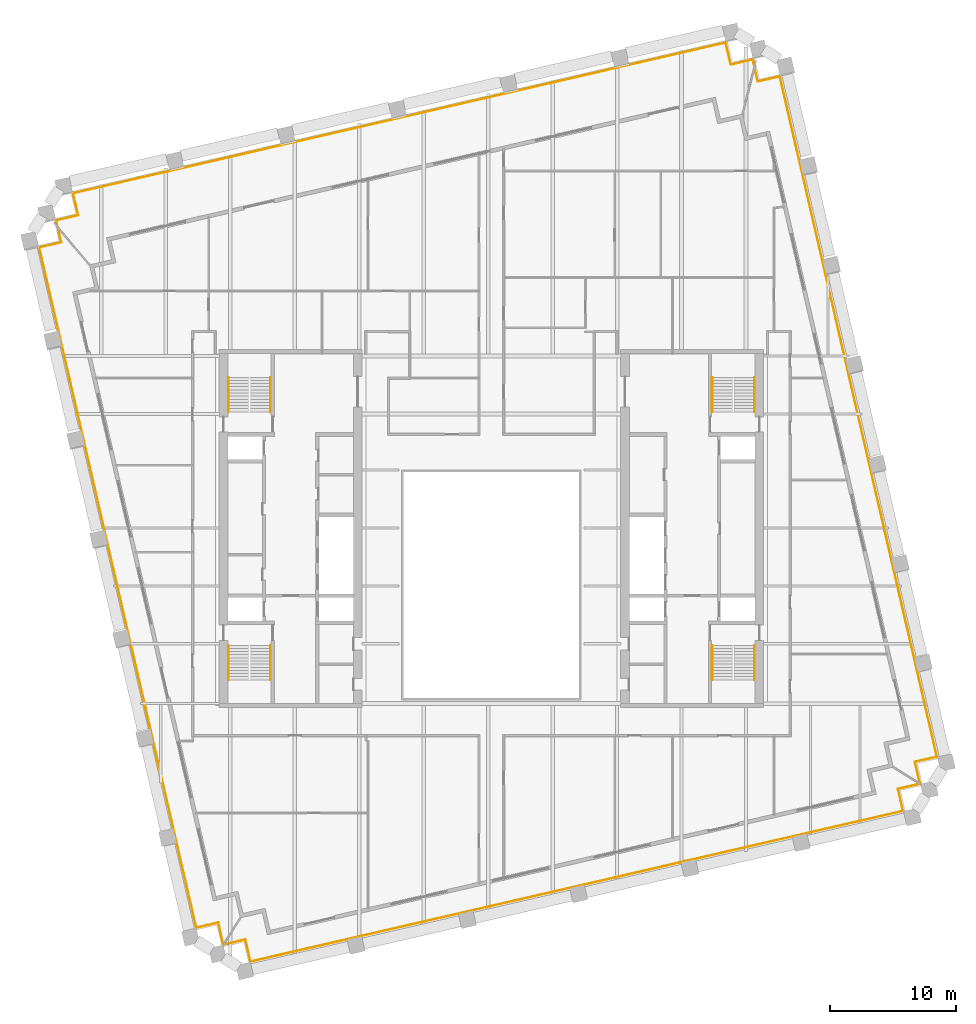
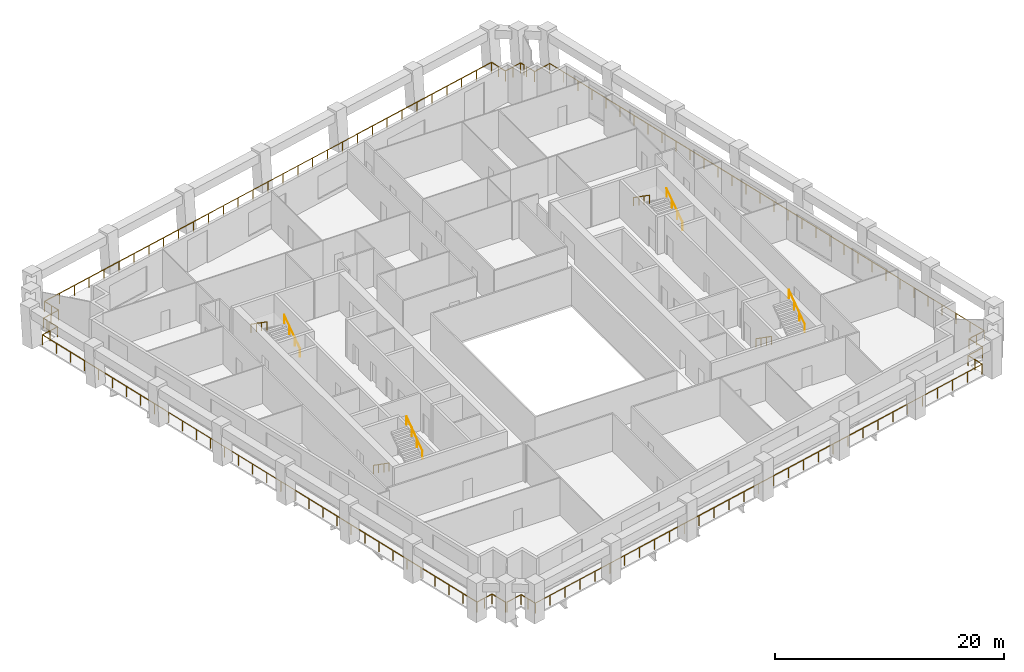
# One storey, part 10 of 10: 12 railings.
"""IFC4 building model written with IfcOpenShell, lengths in metres."""

from ifc_helpers import new_model, si_unit, direction, frame, origin, origin_2d, place, context, subcontext, project, spatial, circle, extrude, material, type_object, element, save


model = new_model("IFC4")

# Units and contexts
model_context = context("Model", 3, precision=1e-05, world=origin(), true_north=direction((0.0, 1.0)))
body_context = subcontext(model_context, "Body", "Model", "MODEL_VIEW")
ifc_project = project(units=[si_unit("LENGTHUNIT", "METRE"), si_unit("AREAUNIT", "SQUARE_METRE"), si_unit("VOLUMEUNIT", "CUBIC_METRE"), si_unit("PLANEANGLEUNIT", "RADIAN"), si_unit("MASSUNIT", "GRAM", prefix="KILO")], contexts=[model_context])

# Site, building, storey
site_placement = place(None, origin())
site = spatial("IfcSite", under=ifc_project, at=site_placement, CompositionType="ELEMENT")
building_placement = place(site_placement, origin())
building = spatial("IfcBuilding", under=site, at=building_placement, Name="Ogive Exchange Tower", CompositionType="ELEMENT")
storey_placement = place(building_placement, frame((0.0, 0.0, 192.60009765625)))
storey = spatial("IfcBuildingStorey", under=building, at=storey_placement, Name="L42", CompositionType="ELEMENT", Elevation=192.60009765625)

# Railings
ifc_material_1 = material(Name="Stainless steel 316", Category="steel")
railing_type_1 = type_object("IfcRailingType", Name="Guard 1100 stainless steel and glass", PredefinedType="GUARDRAIL", material=ifc_material_1)
railing_1_placement = place(storey_placement, frame((34.067138671875, -8.864013671875, -0.050048828125)))
element("IfcRailing", 1, at=railing_1_placement, inside=storey, type_object=railing_type_1, Name="Loggia guard 1", PredefinedType="GUARDRAIL", context=body_context, shape_type="SweptSolid", body=[
    extrude(circle(Radius=0.02392578125, at=origin_2d()), frame((0.0, 0.0, 1.076171875), z_axis=(-0.974364690374, -0.224974332206, 0.0), x_axis=(0.224974332206, -0.974364690374, 0.0)), (0.0, 0.0, 1.0), 1.7080078125),
    extrude(circle(Radius=0.02392578125, at=origin_2d()), frame((-1.664306640625, -0.38427734375, 1.076171875), z_axis=(0.224879318197, -0.974386623598, 0.0), x_axis=(0.974386623598, 0.224879318197, 0.0)), (0.0, 0.0, 1.0), 1.800048828125),
    extrude(circle(Radius=0.02392578125, at=origin_2d()), frame((-1.259521484375, -2.13818359375, 1.076171875), z_axis=(-0.97436998541, -0.224951398156, 0.0), x_axis=(0.224951398156, -0.97436998541, 0.0)), (0.0, 0.0, 1.0), 53.360107421875),
    extrude(circle(Radius=0.02392578125, at=origin_2d()), frame((-53.251953125, -14.1416015625, 1.076171875), z_axis=(-0.224879318197, 0.974386623598, 0.0), x_axis=(-0.974386623598, -0.224879318197, 0.0)), (0.0, 0.0, 1.0), 1.800048828125),
    extrude(circle(Radius=0.02392578125, at=origin_2d()), frame((-53.65673828125, -12.3876953125, 1.076171875), z_axis=(-0.974364690374, -0.224974332206, 0.0), x_axis=(0.224974332206, -0.974364690374, 0.0)), (0.0, 0.0, 1.0), 1.7080078125),
    extrude(circle(Radius=0.02099609375, at=origin_2d()), origin(), (0.0, 0.0, 1.0), 1.052001953125),
    extrude(circle(Radius=0.02099609375, at=origin_2d()), frame((-1.664306640625, -0.38427734375, 0.0)), (0.0, 0.0, 1.0), 1.052001953125),
    extrude(circle(Radius=0.02099609375, at=origin_2d()), frame((-1.4619140625, -1.26123046875, 0.0)), (0.0, 0.0, 1.0), 1.052001953125),
    extrude(circle(Radius=0.02099609375, at=origin_2d()), frame((-1.259521484375, -2.13818359375, 0.0)), (0.0, 0.0, 1.0), 1.052001953125),
    extrude(circle(Radius=0.02099609375, at=origin_2d()), frame((-2.99267578125, -2.538330078125, 0.0)), (0.0, 0.0, 1.0), 1.052001953125),
    extrude(circle(Radius=0.02099609375, at=origin_2d()), frame((-4.7255859375, -2.9384765625, 0.0)), (0.0, 0.0, 1.0), 1.052001953125),
    extrude(circle(Radius=0.02099609375, at=origin_2d()), frame((-6.458740234375, -3.338623046875, 0.0)), (0.0, 0.0, 1.0), 1.052001953125),
    extrude(circle(Radius=0.02099609375, at=origin_2d()), frame((-8.19189453125, -3.738525390625, 0.0)), (0.0, 0.0, 1.0), 1.052001953125),
    extrude(circle(Radius=0.02099609375, at=origin_2d()), frame((-9.9248046875, -4.138671875, 0.0)), (0.0, 0.0, 1.0), 1.052001953125),
    extrude(circle(Radius=0.02099609375, at=origin_2d()), frame((-11.657958984375, -4.538818359375, 0.0)), (0.0, 0.0, 1.0), 1.052001953125),
    extrude(circle(Radius=0.02099609375, at=origin_2d()), frame((-13.39111328125, -4.93896484375, 0.0)), (0.0, 0.0, 1.0), 1.052001953125),
    extrude(circle(Radius=0.02099609375, at=origin_2d()), frame((-15.124267578125, -5.339111328125, 0.0)), (0.0, 0.0, 1.0), 1.052001953125),
    extrude(circle(Radius=0.02099609375, at=origin_2d()), frame((-16.857177734375, -5.7392578125, 0.0)), (0.0, 0.0, 1.0), 1.052001953125),
    extrude(circle(Radius=0.02099609375, at=origin_2d()), frame((-18.59033203125, -6.139404296875, 0.0)), (0.0, 0.0, 1.0), 1.052001953125),
    extrude(circle(Radius=0.02099609375, at=origin_2d()), frame((-20.323486328125, -6.53955078125, 0.0)), (0.0, 0.0, 1.0), 1.052001953125),
    extrude(circle(Radius=0.02099609375, at=origin_2d()), frame((-22.056396484375, -6.939453125, 0.0)), (0.0, 0.0, 1.0), 1.052001953125),
    extrude(circle(Radius=0.02099609375, at=origin_2d()), frame((-23.78955078125, -7.339599609375, 0.0)), (0.0, 0.0, 1.0), 1.052001953125),
    extrude(circle(Radius=0.02099609375, at=origin_2d()), frame((-25.522705078125, -7.73974609375, 0.0)), (0.0, 0.0, 1.0), 1.052001953125),
    extrude(circle(Radius=0.02099609375, at=origin_2d()), frame((-27.255859375, -8.139892578125, 0.0)), (0.0, 0.0, 1.0), 1.052001953125),
    extrude(circle(Radius=0.02099609375, at=origin_2d()), frame((-28.98876953125, -8.5400390625, 0.0)), (0.0, 0.0, 1.0), 1.052001953125),
    extrude(circle(Radius=0.02099609375, at=origin_2d()), frame((-30.721923828125, -8.940185546875, 0.0)), (0.0, 0.0, 1.0), 1.052001953125),
    extrude(circle(Radius=0.02099609375, at=origin_2d()), frame((-32.455078125, -9.34033203125, 0.0)), (0.0, 0.0, 1.0), 1.052001953125),
    extrude(circle(Radius=0.02099609375, at=origin_2d()), frame((-34.18798828125, -9.740234375, 0.0)), (0.0, 0.0, 1.0), 1.052001953125),
    extrude(circle(Radius=0.02099609375, at=origin_2d()), frame((-35.921142578125, -10.140380859375, 0.0)), (0.0, 0.0, 1.0), 1.052001953125),
    extrude(circle(Radius=0.02099609375, at=origin_2d()), frame((-37.654296875, -10.54052734375, 0.0)), (0.0, 0.0, 1.0), 1.052001953125),
    extrude(circle(Radius=0.02099609375, at=origin_2d()), frame((-39.38720703125, -10.940673828125, 0.0)), (0.0, 0.0, 1.0), 1.052001953125),
    extrude(circle(Radius=0.02099609375, at=origin_2d()), frame((-41.120361328125, -11.3408203125, 0.0)), (0.0, 0.0, 1.0), 1.052001953125),
    extrude(circle(Radius=0.02099609375, at=origin_2d()), frame((-42.853515625, -11.740966796875, 0.0)), (0.0, 0.0, 1.0), 1.052001953125),
    extrude(circle(Radius=0.02099609375, at=origin_2d()), frame((-44.58642578125, -12.14111328125, 0.0)), (0.0, 0.0, 1.0), 1.052001953125),
    extrude(circle(Radius=0.02099609375, at=origin_2d()), frame((-46.319580078125, -12.541259765625, 0.0)), (0.0, 0.0, 1.0), 1.052001953125),
    extrude(circle(Radius=0.02099609375, at=origin_2d()), frame((-48.052734375, -12.941162109375, 0.0)), (0.0, 0.0, 1.0), 1.052001953125),
    extrude(circle(Radius=0.02099609375, at=origin_2d()), frame((-49.785888671875, -13.34130859375, 0.0)), (0.0, 0.0, 1.0), 1.052001953125),
    extrude(circle(Radius=0.02099609375, at=origin_2d()), frame((-51.518798828125, -13.741455078125, 0.0)), (0.0, 0.0, 1.0), 1.052001953125),
    extrude(circle(Radius=0.02099609375, at=origin_2d()), frame((-53.251953125, -14.1416015625, 0.0)), (0.0, 0.0, 1.0), 1.052001953125),
    extrude(circle(Radius=0.02099609375, at=origin_2d()), frame((-53.454345703125, -13.2646484375, 0.0)), (0.0, 0.0, 1.0), 1.052001953125),
    extrude(circle(Radius=0.02099609375, at=origin_2d()), frame((-53.65673828125, -12.3876953125, 0.0)), (0.0, 0.0, 1.0), 1.052001953125),
    extrude(circle(Radius=0.02099609375, at=origin_2d()), frame((-55.321044921875, -12.77197265625, 0.0)), (0.0, 0.0, 1.0), 1.052001953125),
])
railing_2_placement = place(storey_placement, frame((-21.364013671875, -21.567138671875, -0.050048828125)))
element("IfcRailing", 2, at=railing_2_placement, inside=storey, type_object=railing_type_1, Name="Loggia guard 2", PredefinedType="GUARDRAIL", context=body_context, shape_type="SweptSolid", body=[
    extrude(circle(Radius=0.02392578125, at=origin_2d()), frame((0.0, 0.0, 1.076171875), z_axis=(-0.224974332206, 0.974364690374, 0.0), x_axis=(-0.974364690374, -0.224974332206, 0.0)), (0.0, 0.0, 1.0), 1.7080078125),
    extrude(circle(Radius=0.02392578125, at=origin_2d()), frame((-0.38427734375, 1.664306640625, 1.076171875), z_axis=(-0.974386623598, -0.224879318197, 0.0), x_axis=(0.224879318197, -0.974386623598, 0.0)), (0.0, 0.0, 1.0), 1.800048828125),
    extrude(circle(Radius=0.02392578125, at=origin_2d()), frame((-2.13818359375, 1.259521484375, 1.076171875), z_axis=(-0.224953419665, 0.974369518705, 0.0), x_axis=(-0.974369518705, -0.224953419665, 0.0)), (0.0, 0.0, 1.0), 55.62890625),
    extrude(circle(Radius=0.02392578125, at=origin_2d()), frame((-14.652099609375, 55.462646484375, 1.076171875), z_axis=(0.974386623598, 0.224879318197, 0.0), x_axis=(-0.224879318197, 0.974386623598, 0.0)), (0.0, 0.0, 1.0), 1.800048828125),
    extrude(circle(Radius=0.02392578125, at=origin_2d()), frame((-12.898193359375, 55.867431640625, 1.076171875), z_axis=(-0.224859506699, 0.974391195695, 0.0), x_axis=(-0.974391195695, -0.224859506699, 0.0)), (0.0, 0.0, 1.0), 1.071533203125),
    extrude(circle(Radius=0.02099609375, at=origin_2d()), origin(), (0.0, 0.0, 1.0), 1.052001953125),
    extrude(circle(Radius=0.02099609375, at=origin_2d()), frame((-0.38427734375, 1.664306640625, 0.0)), (0.0, 0.0, 1.0), 1.052001953125),
    extrude(circle(Radius=0.02099609375, at=origin_2d()), frame((-1.26123046875, 1.4619140625, 0.0)), (0.0, 0.0, 1.0), 1.052001953125),
    extrude(circle(Radius=0.02099609375, at=origin_2d()), frame((-2.13818359375, 1.259521484375, 0.0)), (0.0, 0.0, 1.0), 1.052001953125),
    extrude(circle(Radius=0.02099609375, at=origin_2d()), frame((-2.541748046875, 3.008056640625, 0.0)), (0.0, 0.0, 1.0), 1.052001953125),
    extrude(circle(Radius=0.02099609375, at=origin_2d()), frame((-2.945556640625, 4.756591796875, 0.0)), (0.0, 0.0, 1.0), 1.052001953125),
    extrude(circle(Radius=0.02099609375, at=origin_2d()), frame((-3.34912109375, 6.5048828125, 0.0)), (0.0, 0.0, 1.0), 1.052001953125),
    extrude(circle(Radius=0.02099609375, at=origin_2d()), frame((-3.7529296875, 8.25341796875, 0.0)), (0.0, 0.0, 1.0), 1.052001953125),
    extrude(circle(Radius=0.02099609375, at=origin_2d()), frame((-4.156494140625, 10.001953125, 0.0)), (0.0, 0.0, 1.0), 1.052001953125),
    extrude(circle(Radius=0.02099609375, at=origin_2d()), frame((-4.560302734375, 11.75048828125, 0.0)), (0.0, 0.0, 1.0), 1.052001953125),
    extrude(circle(Radius=0.02099609375, at=origin_2d()), frame((-4.9638671875, 13.4990234375, 0.0)), (0.0, 0.0, 1.0), 1.052001953125),
    extrude(circle(Radius=0.02099609375, at=origin_2d()), frame((-5.36767578125, 15.247314453125, 0.0)), (0.0, 0.0, 1.0), 1.052001953125),
    extrude(circle(Radius=0.02099609375, at=origin_2d()), frame((-5.771240234375, 16.995849609375, 0.0)), (0.0, 0.0, 1.0), 1.052001953125),
    extrude(circle(Radius=0.02099609375, at=origin_2d()), frame((-6.175048828125, 18.744384765625, 0.0)), (0.0, 0.0, 1.0), 1.052001953125),
    extrude(circle(Radius=0.02099609375, at=origin_2d()), frame((-6.57861328125, 20.492919921875, 0.0)), (0.0, 0.0, 1.0), 1.052001953125),
    extrude(circle(Radius=0.02099609375, at=origin_2d()), frame((-6.982177734375, 22.241455078125, 0.0)), (0.0, 0.0, 1.0), 1.052001953125),
    extrude(circle(Radius=0.02099609375, at=origin_2d()), frame((-7.385986328125, 23.98974609375, 0.0)), (0.0, 0.0, 1.0), 1.052001953125),
    extrude(circle(Radius=0.02099609375, at=origin_2d()), frame((-7.78955078125, 25.73828125, 0.0)), (0.0, 0.0, 1.0), 1.052001953125),
    extrude(circle(Radius=0.02099609375, at=origin_2d()), frame((-8.193359375, 27.48681640625, 0.0)), (0.0, 0.0, 1.0), 1.052001953125),
    extrude(circle(Radius=0.02099609375, at=origin_2d()), frame((-8.596923828125, 29.2353515625, 0.0)), (0.0, 0.0, 1.0), 1.052001953125),
    extrude(circle(Radius=0.02099609375, at=origin_2d()), frame((-9.000732421875, 30.98388671875, 0.0)), (0.0, 0.0, 1.0), 1.052001953125),
    extrude(circle(Radius=0.02099609375, at=origin_2d()), frame((-9.404296875, 32.732421875, 0.0)), (0.0, 0.0, 1.0), 1.052001953125),
    extrude(circle(Radius=0.02099609375, at=origin_2d()), frame((-9.80810546875, 34.480712890625, 0.0)), (0.0, 0.0, 1.0), 1.052001953125),
    extrude(circle(Radius=0.02099609375, at=origin_2d()), frame((-10.211669921875, 36.229248046875, 0.0)), (0.0, 0.0, 1.0), 1.052001953125),
    extrude(circle(Radius=0.02099609375, at=origin_2d()), frame((-10.615234375, 37.977783203125, 0.0)), (0.0, 0.0, 1.0), 1.052001953125),
    extrude(circle(Radius=0.02099609375, at=origin_2d()), frame((-11.01904296875, 39.726318359375, 0.0)), (0.0, 0.0, 1.0), 1.052001953125),
    extrude(circle(Radius=0.02099609375, at=origin_2d()), frame((-11.422607421875, 41.474853515625, 0.0)), (0.0, 0.0, 1.0), 1.052001953125),
    extrude(circle(Radius=0.02099609375, at=origin_2d()), frame((-11.826416015625, 43.22314453125, 0.0)), (0.0, 0.0, 1.0), 1.052001953125),
    extrude(circle(Radius=0.02099609375, at=origin_2d()), frame((-12.22998046875, 44.9716796875, 0.0)), (0.0, 0.0, 1.0), 1.052001953125),
    extrude(circle(Radius=0.02099609375, at=origin_2d()), frame((-12.6337890625, 46.72021484375, 0.0)), (0.0, 0.0, 1.0), 1.052001953125),
    extrude(circle(Radius=0.02099609375, at=origin_2d()), frame((-13.037353515625, 48.46875, 0.0)), (0.0, 0.0, 1.0), 1.052001953125),
    extrude(circle(Radius=0.02099609375, at=origin_2d()), frame((-13.441162109375, 50.21728515625, 0.0)), (0.0, 0.0, 1.0), 1.052001953125),
    extrude(circle(Radius=0.02099609375, at=origin_2d()), frame((-13.8447265625, 51.965576171875, 0.0)), (0.0, 0.0, 1.0), 1.052001953125),
    extrude(circle(Radius=0.02099609375, at=origin_2d()), frame((-14.24853515625, 53.714111328125, 0.0)), (0.0, 0.0, 1.0), 1.052001953125),
    extrude(circle(Radius=0.02099609375, at=origin_2d()), frame((-14.652099609375, 55.462646484375, 0.0)), (0.0, 0.0, 1.0), 1.052001953125),
    extrude(circle(Radius=0.02099609375, at=origin_2d()), frame((-13.775146484375, 55.6650390625, 0.0)), (0.0, 0.0, 1.0), 1.052001953125),
    extrude(circle(Radius=0.02099609375, at=origin_2d()), frame((-12.898193359375, 55.867431640625, 0.0)), (0.0, 0.0, 1.0), 1.052001953125),
    extrude(circle(Radius=0.02099609375, at=origin_2d()), frame((-13.13916015625, 56.91162109375, 0.0)), (0.0, 0.0, 1.0), 1.052001953125),
])
railing_3_placement = place(storey_placement, frame((-34.567138671875, 35.62158203125, -0.050048828125)))
element("IfcRailing", 3, at=railing_3_placement, inside=storey, type_object=railing_type_1, Name="Loggia guard 3", PredefinedType="GUARDRAIL", context=body_context, shape_type="SweptSolid", body=[
    extrude(circle(Radius=0.02392578125, at=origin_2d()), frame((0.0, 0.0, 1.076171875), z_axis=(-0.224899666059, 0.974381927278, 0.0), x_axis=(-0.974381927278, -0.224899666059, 0.0)), (0.0, 0.0, 1.0), 0.444091796875),
    extrude(circle(Radius=0.02392578125, at=origin_2d()), frame((-0.099853515625, 0.4326171875, 1.076171875), z_axis=(0.974386623598, 0.224879318197, 0.0), x_axis=(-0.224879318197, 0.974386623598, 0.0)), (0.0, 0.0, 1.0), 1.800048828125),
    extrude(circle(Radius=0.02392578125, at=origin_2d()), frame((1.654052734375, 0.83740234375, 1.076171875), z_axis=(-0.225008086135, 0.974356896201, 0.0), x_axis=(-0.974356896201, -0.225008086135, 0.0)), (0.0, 0.0, 1.0), 1.800048828125),
    extrude(circle(Radius=0.02392578125, at=origin_2d()), frame((1.2490234375, 2.59130859375, 1.076171875), z_axis=(0.97436998541, 0.224951398156, 0.0), x_axis=(-0.224951398156, 0.97436998541, 0.0)), (0.0, 0.0, 1.0), 53.360107421875),
    extrude(circle(Radius=0.02392578125, at=origin_2d()), frame((53.241455078125, 14.5947265625, 1.076171875), z_axis=(0.224879318197, -0.974386623598, 0.0), x_axis=(0.974386623598, 0.224879318197, 0.0)), (0.0, 0.0, 1.0), 1.800048828125),
    extrude(circle(Radius=0.02392578125, at=origin_2d()), frame((53.646240234375, 12.8408203125, 1.076171875), z_axis=(0.974356896201, 0.225008086135, 0.0), x_axis=(-0.225008086135, 0.974356896201, 0.0)), (0.0, 0.0, 1.0), 1.800048828125),
    extrude(circle(Radius=0.02392578125, at=origin_2d()), frame((55.400146484375, 13.245849609375, 1.076171875), z_axis=(0.224899666059, -0.974381927278, 0.0), x_axis=(0.974381927278, 0.224899666059, 0.0)), (0.0, 0.0, 1.0), 0.444091796875),
    extrude(circle(Radius=0.02099609375, at=origin_2d()), origin(), (0.0, 0.0, 1.0), 1.052001953125),
    extrude(circle(Radius=0.02099609375, at=origin_2d()), frame((-0.099853515625, 0.4326171875, 0.0)), (0.0, 0.0, 1.0), 1.052001953125),
    extrude(circle(Radius=0.02099609375, at=origin_2d()), frame((0.777099609375, 0.635009765625, 0.0)), (0.0, 0.0, 1.0), 1.052001953125),
    extrude(circle(Radius=0.02099609375, at=origin_2d()), frame((1.654052734375, 0.83740234375, 0.0)), (0.0, 0.0, 1.0), 1.052001953125),
    extrude(circle(Radius=0.02099609375, at=origin_2d()), frame((1.45166015625, 1.71435546875, 0.0)), (0.0, 0.0, 1.0), 1.052001953125),
    extrude(circle(Radius=0.02099609375, at=origin_2d()), frame((1.2490234375, 2.59130859375, 0.0)), (0.0, 0.0, 1.0), 1.052001953125),
    extrude(circle(Radius=0.02099609375, at=origin_2d()), frame((2.982177734375, 2.991455078125, 0.0)), (0.0, 0.0, 1.0), 1.052001953125),
    extrude(circle(Radius=0.02099609375, at=origin_2d()), frame((4.715087890625, 3.3916015625, 0.0)), (0.0, 0.0, 1.0), 1.052001953125),
    extrude(circle(Radius=0.02099609375, at=origin_2d()), frame((6.4482421875, 3.791748046875, 0.0)), (0.0, 0.0, 1.0), 1.052001953125),
    extrude(circle(Radius=0.02099609375, at=origin_2d()), frame((8.181396484375, 4.191650390625, 0.0)), (0.0, 0.0, 1.0), 1.052001953125),
    extrude(circle(Radius=0.02099609375, at=origin_2d()), frame((9.91455078125, 4.591796875, 0.0)), (0.0, 0.0, 1.0), 1.052001953125),
    extrude(circle(Radius=0.02099609375, at=origin_2d()), frame((11.6474609375, 4.991943359375, 0.0)), (0.0, 0.0, 1.0), 1.052001953125),
    extrude(circle(Radius=0.02099609375, at=origin_2d()), frame((13.380615234375, 5.39208984375, 0.0)), (0.0, 0.0, 1.0), 1.052001953125),
    extrude(circle(Radius=0.02099609375, at=origin_2d()), frame((15.11376953125, 5.792236328125, 0.0)), (0.0, 0.0, 1.0), 1.052001953125),
    extrude(circle(Radius=0.02099609375, at=origin_2d()), frame((16.8466796875, 6.1923828125, 0.0)), (0.0, 0.0, 1.0), 1.052001953125),
    extrude(circle(Radius=0.02099609375, at=origin_2d()), frame((18.579833984375, 6.592529296875, 0.0)), (0.0, 0.0, 1.0), 1.052001953125),
    extrude(circle(Radius=0.02099609375, at=origin_2d()), frame((20.31298828125, 6.99267578125, 0.0)), (0.0, 0.0, 1.0), 1.052001953125),
    extrude(circle(Radius=0.02099609375, at=origin_2d()), frame((22.0458984375, 7.392578125, 0.0)), (0.0, 0.0, 1.0), 1.052001953125),
    extrude(circle(Radius=0.02099609375, at=origin_2d()), frame((23.779052734375, 7.792724609375, 0.0)), (0.0, 0.0, 1.0), 1.052001953125),
    extrude(circle(Radius=0.02099609375, at=origin_2d()), frame((25.51220703125, 8.19287109375, 0.0)), (0.0, 0.0, 1.0), 1.052001953125),
    extrude(circle(Radius=0.02099609375, at=origin_2d()), frame((27.2451171875, 8.593017578125, 0.0)), (0.0, 0.0, 1.0), 1.052001953125),
    extrude(circle(Radius=0.02099609375, at=origin_2d()), frame((28.978271484375, 8.9931640625, 0.0)), (0.0, 0.0, 1.0), 1.052001953125),
    extrude(circle(Radius=0.02099609375, at=origin_2d()), frame((30.71142578125, 9.393310546875, 0.0)), (0.0, 0.0, 1.0), 1.052001953125),
    extrude(circle(Radius=0.02099609375, at=origin_2d()), frame((32.444580078125, 9.79345703125, 0.0)), (0.0, 0.0, 1.0), 1.052001953125),
    extrude(circle(Radius=0.02099609375, at=origin_2d()), frame((34.177490234375, 10.193359375, 0.0)), (0.0, 0.0, 1.0), 1.052001953125),
    extrude(circle(Radius=0.02099609375, at=origin_2d()), frame((35.91064453125, 10.593505859375, 0.0)), (0.0, 0.0, 1.0), 1.052001953125),
    extrude(circle(Radius=0.02099609375, at=origin_2d()), frame((37.643798828125, 10.99365234375, 0.0)), (0.0, 0.0, 1.0), 1.052001953125),
    extrude(circle(Radius=0.02099609375, at=origin_2d()), frame((39.376708984375, 11.393798828125, 0.0)), (0.0, 0.0, 1.0), 1.052001953125),
    extrude(circle(Radius=0.02099609375, at=origin_2d()), frame((41.10986328125, 11.7939453125, 0.0)), (0.0, 0.0, 1.0), 1.052001953125),
    extrude(circle(Radius=0.02099609375, at=origin_2d()), frame((42.843017578125, 12.194091796875, 0.0)), (0.0, 0.0, 1.0), 1.052001953125),
    extrude(circle(Radius=0.02099609375, at=origin_2d()), frame((44.576171875, 12.59423828125, 0.0)), (0.0, 0.0, 1.0), 1.052001953125),
    extrude(circle(Radius=0.02099609375, at=origin_2d()), frame((46.30908203125, 12.994384765625, 0.0)), (0.0, 0.0, 1.0), 1.052001953125),
    extrude(circle(Radius=0.02099609375, at=origin_2d()), frame((48.042236328125, 13.394287109375, 0.0)), (0.0, 0.0, 1.0), 1.052001953125),
    extrude(circle(Radius=0.02099609375, at=origin_2d()), frame((49.775390625, 13.79443359375, 0.0)), (0.0, 0.0, 1.0), 1.052001953125),
    extrude(circle(Radius=0.02099609375, at=origin_2d()), frame((51.50830078125, 14.194580078125, 0.0)), (0.0, 0.0, 1.0), 1.052001953125),
    extrude(circle(Radius=0.02099609375, at=origin_2d()), frame((53.241455078125, 14.5947265625, 0.0)), (0.0, 0.0, 1.0), 1.052001953125),
    extrude(circle(Radius=0.02099609375, at=origin_2d()), frame((53.44384765625, 13.7177734375, 0.0)), (0.0, 0.0, 1.0), 1.052001953125),
    extrude(circle(Radius=0.02099609375, at=origin_2d()), frame((53.646240234375, 12.8408203125, 0.0)), (0.0, 0.0, 1.0), 1.052001953125),
    extrude(circle(Radius=0.02099609375, at=origin_2d()), frame((54.523193359375, 13.04345703125, 0.0)), (0.0, 0.0, 1.0), 1.052001953125),
    extrude(circle(Radius=0.02099609375, at=origin_2d()), frame((55.400146484375, 13.245849609375, 0.0)), (0.0, 0.0, 1.0), 1.052001953125),
    extrude(circle(Radius=0.02099609375, at=origin_2d()), frame((55.5, 12.813232421875, 0.0)), (0.0, 0.0, 1.0), 1.052001953125),
])
railing_4_placement = place(storey_placement, frame((20.996826171875, 48.15771484375, -0.050048828125)))
element("IfcRailing", 4, at=railing_4_placement, inside=storey, type_object=railing_type_1, Name="Loggia guard 4", PredefinedType="GUARDRAIL", context=body_context, shape_type="SweptSolid", body=[
    extrude(circle(Radius=0.02392578125, at=origin_2d()), frame((0.0, 0.0, 1.076171875), z_axis=(0.225075792207, -0.97434125837, 0.0), x_axis=(0.97434125837, 0.225075792207, 0.0)), (0.0, 0.0, 1.0), 1.07177734375),
    extrude(circle(Radius=0.02392578125, at=origin_2d()), frame((0.2412109375, -1.044189453125, 1.076171875), z_axis=(0.974350028141, 0.22503782496, 0.0), x_axis=(-0.22503782496, 0.974350028141, 0.0)), (0.0, 0.0, 1.0), 1.7998046875),
    extrude(circle(Radius=0.02392578125, at=origin_2d()), frame((1.994873046875, -0.63916015625, 1.076171875), z_axis=(0.224952457712, -0.974369740791, 0.0), x_axis=(0.974369740791, 0.224952457712, 0.0)), (0.0, 0.0, 1.0), 55.629150390625),
    extrude(circle(Radius=0.02392578125, at=origin_2d()), frame((14.5087890625, -54.842529296875, 1.076171875), z_axis=(-0.974386623598, -0.224879318197, 0.0), x_axis=(0.224879318197, -0.974386623598, 0.0)), (0.0, 0.0, 1.0), 1.800048828125),
    extrude(circle(Radius=0.02392578125, at=origin_2d()), frame((12.7548828125, -55.247314453125, 1.076171875), z_axis=(0.224974332206, -0.974364690374, 0.0), x_axis=(0.974364690374, 0.224974332206, 0.0)), (0.0, 0.0, 1.0), 1.7080078125),
    extrude(circle(Radius=0.02099609375, at=origin_2d()), origin(), (0.0, 0.0, 1.0), 1.052001953125),
    extrude(circle(Radius=0.02099609375, at=origin_2d()), frame((0.2412109375, -1.044189453125, 0.0)), (0.0, 0.0, 1.0), 1.052001953125),
    extrude(circle(Radius=0.02099609375, at=origin_2d()), frame((1.994873046875, -0.63916015625, 0.0)), (0.0, 0.0, 1.0), 1.052001953125),
    extrude(circle(Radius=0.02099609375, at=origin_2d()), frame((2.3984375, -2.3876953125, 0.0)), (0.0, 0.0, 1.0), 1.052001953125),
    extrude(circle(Radius=0.02099609375, at=origin_2d()), frame((2.80224609375, -4.13623046875, 0.0)), (0.0, 0.0, 1.0), 1.052001953125),
    extrude(circle(Radius=0.02099609375, at=origin_2d()), frame((3.205810546875, -5.884765625, 0.0)), (0.0, 0.0, 1.0), 1.052001953125),
    extrude(circle(Radius=0.02099609375, at=origin_2d()), frame((3.609619140625, -7.633056640625, 0.0)), (0.0, 0.0, 1.0), 1.052001953125),
    extrude(circle(Radius=0.02099609375, at=origin_2d()), frame((4.01318359375, -9.381591796875, 0.0)), (0.0, 0.0, 1.0), 1.052001953125),
    extrude(circle(Radius=0.02099609375, at=origin_2d()), frame((4.4169921875, -11.130126953125, 0.0)), (0.0, 0.0, 1.0), 1.052001953125),
    extrude(circle(Radius=0.02099609375, at=origin_2d()), frame((4.820556640625, -12.878662109375, 0.0)), (0.0, 0.0, 1.0), 1.052001953125),
    extrude(circle(Radius=0.02099609375, at=origin_2d()), frame((5.224365234375, -14.627197265625, 0.0)), (0.0, 0.0, 1.0), 1.052001953125),
    extrude(circle(Radius=0.02099609375, at=origin_2d()), frame((5.6279296875, -16.375732421875, 0.0)), (0.0, 0.0, 1.0), 1.052001953125),
    extrude(circle(Radius=0.02099609375, at=origin_2d()), frame((6.03173828125, -18.1240234375, 0.0)), (0.0, 0.0, 1.0), 1.052001953125),
    extrude(circle(Radius=0.02099609375, at=origin_2d()), frame((6.435302734375, -19.87255859375, 0.0)), (0.0, 0.0, 1.0), 1.052001953125),
    extrude(circle(Radius=0.02099609375, at=origin_2d()), frame((6.8388671875, -21.62109375, 0.0)), (0.0, 0.0, 1.0), 1.052001953125),
    extrude(circle(Radius=0.02099609375, at=origin_2d()), frame((7.24267578125, -23.36962890625, 0.0)), (0.0, 0.0, 1.0), 1.052001953125),
    extrude(circle(Radius=0.02099609375, at=origin_2d()), frame((7.646240234375, -25.1181640625, 0.0)), (0.0, 0.0, 1.0), 1.052001953125),
    extrude(circle(Radius=0.02099609375, at=origin_2d()), frame((8.050048828125, -26.86669921875, 0.0)), (0.0, 0.0, 1.0), 1.052001953125),
    extrude(circle(Radius=0.02099609375, at=origin_2d()), frame((8.45361328125, -28.614990234375, 0.0)), (0.0, 0.0, 1.0), 1.052001953125),
    extrude(circle(Radius=0.02099609375, at=origin_2d()), frame((8.857421875, -30.363525390625, 0.0)), (0.0, 0.0, 1.0), 1.052001953125),
    extrude(circle(Radius=0.02099609375, at=origin_2d()), frame((9.260986328125, -32.112060546875, 0.0)), (0.0, 0.0, 1.0), 1.052001953125),
    extrude(circle(Radius=0.02099609375, at=origin_2d()), frame((9.664794921875, -33.860595703125, 0.0)), (0.0, 0.0, 1.0), 1.052001953125),
    extrude(circle(Radius=0.02099609375, at=origin_2d()), frame((10.068359375, -35.609130859375, 0.0)), (0.0, 0.0, 1.0), 1.052001953125),
    extrude(circle(Radius=0.02099609375, at=origin_2d()), frame((10.471923828125, -37.357666015625, 0.0)), (0.0, 0.0, 1.0), 1.052001953125),
    extrude(circle(Radius=0.02099609375, at=origin_2d()), frame((10.875732421875, -39.10595703125, 0.0)), (0.0, 0.0, 1.0), 1.052001953125),
    extrude(circle(Radius=0.02099609375, at=origin_2d()), frame((11.279296875, -40.8544921875, 0.0)), (0.0, 0.0, 1.0), 1.052001953125),
    extrude(circle(Radius=0.02099609375, at=origin_2d()), frame((11.68310546875, -42.60302734375, 0.0)), (0.0, 0.0, 1.0), 1.052001953125),
    extrude(circle(Radius=0.02099609375, at=origin_2d()), frame((12.086669921875, -44.3515625, 0.0)), (0.0, 0.0, 1.0), 1.052001953125),
    extrude(circle(Radius=0.02099609375, at=origin_2d()), frame((12.490478515625, -46.10009765625, 0.0)), (0.0, 0.0, 1.0), 1.052001953125),
    extrude(circle(Radius=0.02099609375, at=origin_2d()), frame((12.89404296875, -47.8486328125, 0.0)), (0.0, 0.0, 1.0), 1.052001953125),
    extrude(circle(Radius=0.02099609375, at=origin_2d()), frame((13.2978515625, -49.596923828125, 0.0)), (0.0, 0.0, 1.0), 1.052001953125),
    extrude(circle(Radius=0.02099609375, at=origin_2d()), frame((13.701416015625, -51.345458984375, 0.0)), (0.0, 0.0, 1.0), 1.052001953125),
    extrude(circle(Radius=0.02099609375, at=origin_2d()), frame((14.105224609375, -53.093994140625, 0.0)), (0.0, 0.0, 1.0), 1.052001953125),
    extrude(circle(Radius=0.02099609375, at=origin_2d()), frame((14.5087890625, -54.842529296875, 0.0)), (0.0, 0.0, 1.0), 1.052001953125),
    extrude(circle(Radius=0.02099609375, at=origin_2d()), frame((13.6318359375, -55.044921875, 0.0)), (0.0, 0.0, 1.0), 1.052001953125),
    extrude(circle(Radius=0.02099609375, at=origin_2d()), frame((12.7548828125, -55.247314453125, 0.0)), (0.0, 0.0, 1.0), 1.052001953125),
    extrude(circle(Radius=0.02099609375, at=origin_2d()), frame((13.13916015625, -56.91162109375, 0.0)), (0.0, 0.0, 1.0), 1.052001953125),
])
ifc_material_2 = material(Name="Stainless steel", Category="steel")
railing_type_2 = type_object("IfcRailingType", Name="Stair handrail 900", PredefinedType="HANDRAIL", material=ifc_material_2)
railing_5_placement = place(storey_placement, frame((-20.949951171875, 2.199951171875, 0.1748046875)))
element("IfcRailing", 5, at=railing_5_placement, inside=storey, type_object=railing_type_2, Name="L42 ST1 stair handrail 1", PredefinedType="HANDRAIL", context=body_context, shape_type="SweptSolid", body=[
    extrude(circle(Radius=0.02392578125, at=origin_2d()), frame((0.0, 0.0, 0.8759765625), z_axis=(0.0, -0.819225086817, 0.573472106672), x_axis=(1.0, 0.0, 0.0)), (0.0, 0.0, 1.0), 3.35693359375),
    extrude(circle(Radius=0.02099609375, at=origin_2d()), origin(), (0.0, 0.0, 1.0), 0.851806640625),
    extrude(circle(Radius=0.02099609375, at=origin_2d()), frame((0.0, -0.916748046875, 0.6416015625)), (0.0, 0.0, 1.0), 0.851806640625),
    extrude(circle(Radius=0.02099609375, at=origin_2d()), frame((0.0, -1.833251953125, 1.283447265625)), (0.0, 0.0, 1.0), 0.851806640625),
    extrude(circle(Radius=0.02099609375, at=origin_2d()), frame((0.0, -2.75, 1.925048828125)), (0.0, 0.0, 1.0), 0.851806640625),
])
for number, where, name in (
    (6, (-17.60009765625, -0.550048828125, 2.27490234375), "L42 ST1 stair handrail 2"),
    (7, (-17.60009765625, 20.800048828125, 0.1748046875), "L42 ST2 stair handrail 1"),
):
    element("IfcRailing", number, at=place(storey_placement, frame(where)), inside=storey, type_object=railing_type_2, Name=name, PredefinedType="HANDRAIL", context=body_context, shape_type="SweptSolid", body=[
        extrude(circle(Radius=0.02392578125, at=origin_2d()), frame((0.0, 0.0, 0.8759765625), z_axis=(0.0, 0.819225086817, 0.573472106672), x_axis=(-1.0, 0.0, 0.0)), (0.0, 0.0, 1.0), 3.35693359375),
        extrude(circle(Radius=0.02099609375, at=origin_2d()), origin(), (0.0, 0.0, 1.0), 0.851806640625),
        extrude(circle(Radius=0.02099609375, at=origin_2d()), frame((0.0, 0.916748046875, 0.6416015625)), (0.0, 0.0, 1.0), 0.851806640625),
        extrude(circle(Radius=0.02099609375, at=origin_2d()), frame((0.0, 1.833251953125, 1.283447265625)), (0.0, 0.0, 1.0), 0.851806640625),
        extrude(circle(Radius=0.02099609375, at=origin_2d()), frame((0.0, 2.75, 1.925048828125)), (0.0, 0.0, 1.0), 0.851806640625),
    ])
for number, where, name in (
    (8, (-20.949951171875, 23.550048828125, 2.27490234375), "L42 ST2 stair handrail 2"),
    (9, (17.60009765625, 2.199951171875, 0.1748046875), "L42 ST3 stair handrail 1"),
):
    element("IfcRailing", number, at=place(storey_placement, frame(where)), inside=storey, type_object=railing_type_2, Name=name, PredefinedType="HANDRAIL", context=body_context, shape_type="SweptSolid", body=[
        extrude(circle(Radius=0.02392578125, at=origin_2d()), frame((0.0, 0.0, 0.8759765625), z_axis=(0.0, -0.819225086817, 0.573472106672), x_axis=(1.0, 0.0, 0.0)), (0.0, 0.0, 1.0), 3.35693359375),
        extrude(circle(Radius=0.02099609375, at=origin_2d()), origin(), (0.0, 0.0, 1.0), 0.851806640625),
        extrude(circle(Radius=0.02099609375, at=origin_2d()), frame((0.0, -0.916748046875, 0.6416015625)), (0.0, 0.0, 1.0), 0.851806640625),
        extrude(circle(Radius=0.02099609375, at=origin_2d()), frame((0.0, -1.833251953125, 1.283447265625)), (0.0, 0.0, 1.0), 0.851806640625),
        extrude(circle(Radius=0.02099609375, at=origin_2d()), frame((0.0, -2.75, 1.925048828125)), (0.0, 0.0, 1.0), 0.851806640625),
    ])
for number, where, name in (
    (10, (20.949951171875, -0.550048828125, 2.27490234375), "L42 ST3 stair handrail 2"),
    (11, (20.949951171875, 20.800048828125, 0.1748046875), "L42 ST4 stair handrail 1"),
):
    element("IfcRailing", number, at=place(storey_placement, frame(where)), inside=storey, type_object=railing_type_2, Name=name, PredefinedType="HANDRAIL", context=body_context, shape_type="SweptSolid", body=[
        extrude(circle(Radius=0.02392578125, at=origin_2d()), frame((0.0, 0.0, 0.8759765625), z_axis=(0.0, 0.819225086817, 0.573472106672), x_axis=(-1.0, 0.0, 0.0)), (0.0, 0.0, 1.0), 3.35693359375),
        extrude(circle(Radius=0.02099609375, at=origin_2d()), origin(), (0.0, 0.0, 1.0), 0.851806640625),
        extrude(circle(Radius=0.02099609375, at=origin_2d()), frame((0.0, 0.916748046875, 0.6416015625)), (0.0, 0.0, 1.0), 0.851806640625),
        extrude(circle(Radius=0.02099609375, at=origin_2d()), frame((0.0, 1.833251953125, 1.283447265625)), (0.0, 0.0, 1.0), 0.851806640625),
        extrude(circle(Radius=0.02099609375, at=origin_2d()), frame((0.0, 2.75, 1.925048828125)), (0.0, 0.0, 1.0), 0.851806640625),
    ])
railing_6_placement = place(storey_placement, frame((17.60009765625, 23.550048828125, 2.27490234375)))
element("IfcRailing", 12, at=railing_6_placement, inside=storey, type_object=railing_type_2, Name="L42 ST4 stair handrail 2", PredefinedType="HANDRAIL", context=body_context, shape_type="SweptSolid", body=[
    extrude(circle(Radius=0.02392578125, at=origin_2d()), frame((0.0, 0.0, 0.8759765625), z_axis=(0.0, -0.819225086817, 0.573472106672), x_axis=(1.0, 0.0, 0.0)), (0.0, 0.0, 1.0), 3.35693359375),
    extrude(circle(Radius=0.02099609375, at=origin_2d()), origin(), (0.0, 0.0, 1.0), 0.851806640625),
    extrude(circle(Radius=0.02099609375, at=origin_2d()), frame((0.0, -0.916748046875, 0.6416015625)), (0.0, 0.0, 1.0), 0.851806640625),
    extrude(circle(Radius=0.02099609375, at=origin_2d()), frame((0.0, -1.833251953125, 1.283447265625)), (0.0, 0.0, 1.0), 0.851806640625),
    extrude(circle(Radius=0.02099609375, at=origin_2d()), frame((0.0, -2.75, 1.925048828125)), (0.0, 0.0, 1.0), 0.851806640625),
])

save(model, "model.ifc")
